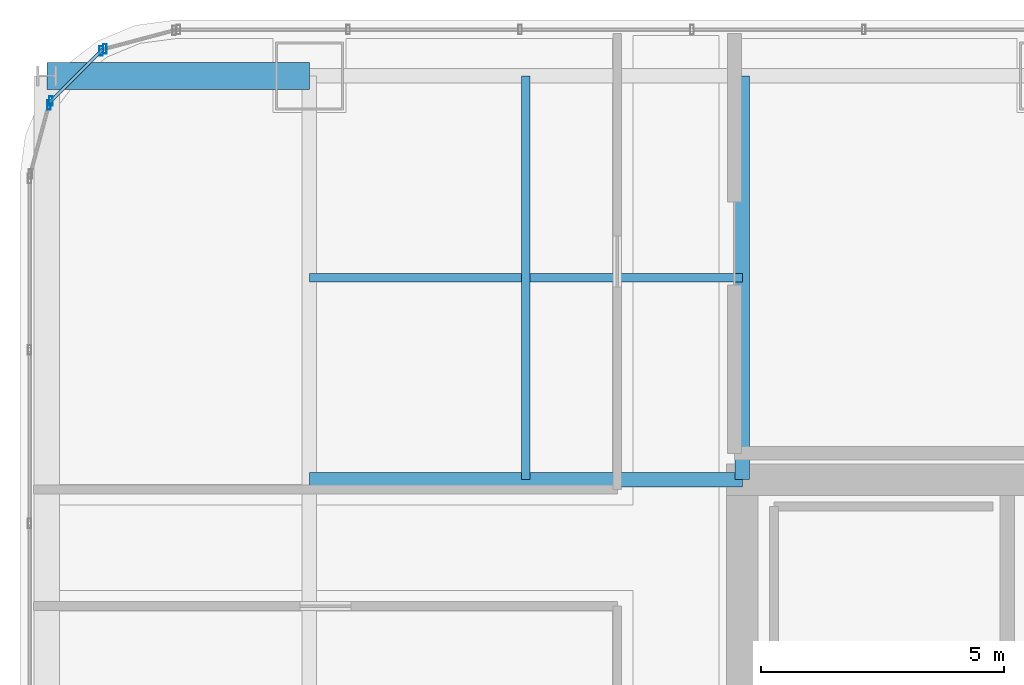
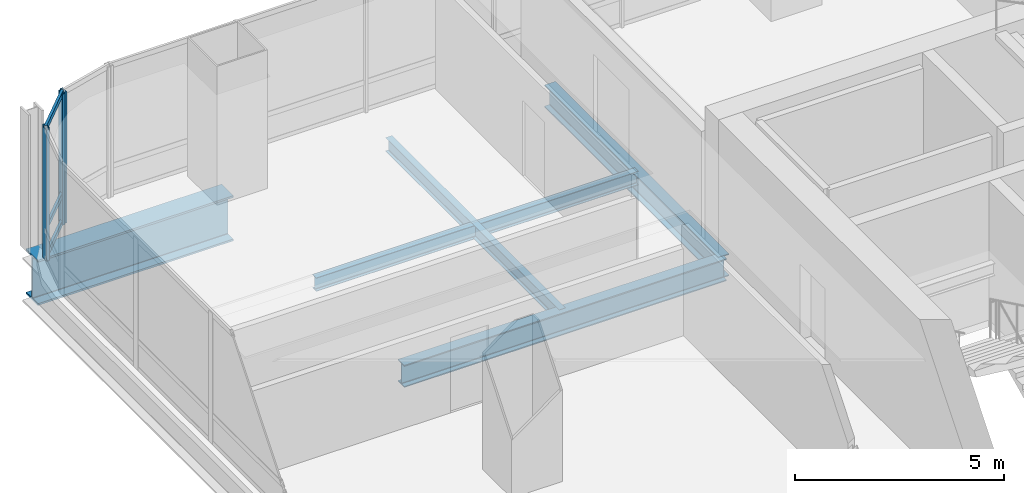
# One storey, part 19 of 36: 7 members, 5 beams, 3 elements without a shape of their own.
"""IFC4 building model written with IfcOpenShell, lengths in metres."""

from ifc_helpers import new_model, si_unit, direction, frame, origin, origin_2d, place, context, subcontext, project, spatial, hollow_rectangle, i_section, extrude, material, material_profile, profile_set, type_object, element, aggregate, save


model = new_model("IFC4")

# Units and contexts
model_context = context("Model", 3, precision=1e-05, world=origin(), true_north=direction((0.0, 1.0)))
body_context = subcontext(model_context, "Body", "Model", "MODEL_VIEW")
ifc_project = project(units=[si_unit("LENGTHUNIT", "METRE"), si_unit("AREAUNIT", "SQUARE_METRE"), si_unit("VOLUMEUNIT", "CUBIC_METRE"), si_unit("PLANEANGLEUNIT", "RADIAN"), si_unit("MASSUNIT", "GRAM", prefix="KILO")], contexts=[model_context])

# Site, building, storey
site_placement = place(None, origin())
site = spatial("IfcSite", under=ifc_project, at=site_placement, CompositionType="ELEMENT")
building_placement = place(site_placement, origin())
building = spatial("IfcBuilding", under=site, at=building_placement, Name="Punatoya Terracotta Tower", CompositionType="ELEMENT")
storey_placement = place(building_placement, frame((0.0, 0.0, 184.35009765625)))
storey = spatial("IfcBuildingStorey", under=building, at=storey_placement, Name="L43", CompositionType="ELEMENT", Elevation=184.35009765625)

# Beams
ifc_material_1 = material(Name="Steel S355", Category="steel")
ifc_material_profile_1 = material_profile(ifc_material_1, i_section(OverallWidth=0.300048828125, OverallDepth=0.64990234375, WebThickness=0.01611328125, FlangeThickness=0.031005859375, FilletRadius=0.01806640625, at=origin_2d()))
ifc_profile_set_1 = profile_set([ifc_material_profile_1], Name="Steel S355")
beam_type_1 = type_object("IfcBeamType", Name="BM-PRI-650", PredefinedType="BEAM", material=ifc_profile_set_1)
beam_1_placement = place(storey_placement, frame((-19.10009765625, 9.199951171875, -0.545166015625), z_axis=(1.0, 0.0, 0.0), x_axis=(0.0, 1.0, 0.0)))
element("IfcBeam", 1, at=beam_1_placement, inside=storey, type_object=beam_type_1, Name="BM-L43-PR-WN", PredefinedType="BEAM", context=body_context, shape_type="SweptSolid", body=[
    extrude(i_section(OverallWidth=0.300048828125, OverallDepth=0.64990234375, WebThickness=0.01611328125, FlangeThickness=0.031005859375, FilletRadius=0.01806640625, at=origin_2d()), origin(), (0.0, 0.0, 1.0), 8.900146484375),
])
beam_2_placement = place(storey_placement, frame((-10.199951171875, 9.199951171875, -0.545166015625), z_axis=(0.0, 1.0, 0.0), x_axis=(-1.0, 0.0, 0.0)))
element("IfcBeam", 2, at=beam_2_placement, inside=storey, type_object=beam_type_1, Name="BM-L43-PR-N1", PredefinedType="BEAM", context=body_context, shape_type="SweptSolid", body=[
    extrude(i_section(OverallWidth=0.300048828125, OverallDepth=0.64990234375, WebThickness=0.01611328125, FlangeThickness=0.031005859375, FilletRadius=0.01806640625, at=origin_2d()), origin(), (0.0, 0.0, 1.0), 8.300048828125),
])
ifc_material_profile_2 = material_profile(ifc_material_1, i_section(OverallWidth=0.179931640625, OverallDepth=0.39990234375, WebThickness=0.008544921875, FlangeThickness=0.013427734375, FilletRadius=0.01806640625, at=origin_2d()))
ifc_profile_set_2 = profile_set([ifc_material_profile_2], Name="Steel S355")
beam_type_2 = type_object("IfcBeamType", Name="BM-SEC-400", PredefinedType="JOIST", material=ifc_profile_set_2)
beam_3_placement = place(storey_placement, frame((-19.10009765625, 13.35009765625, -0.420166015625), z_axis=(1.0, 0.0, 0.0), x_axis=(0.0, 1.0, 0.0)))
element("IfcBeam", 3, at=beam_3_placement, inside=storey, type_object=beam_type_2, Name="BM-L43-SJN-1", PredefinedType="JOIST", context=body_context, shape_type="SweptSolid", body=[
    extrude(i_section(OverallWidth=0.179931640625, OverallDepth=0.39990234375, WebThickness=0.008544921875, FlangeThickness=0.013427734375, FilletRadius=0.01806640625, at=origin_2d()), origin(), (0.0, 0.0, 1.0), 8.900146484375),
])
beam_4_placement = place(storey_placement, frame((-14.64990234375, 9.199951171875, -0.420166015625), z_axis=(0.0, 1.0, 0.0), x_axis=(-1.0, 0.0, 0.0)))
element("IfcBeam", 4, at=beam_4_placement, inside=storey, type_object=beam_type_2, Name="BM-L43-SJW-2", PredefinedType="JOIST", context=body_context, shape_type="SweptSolid", body=[
    extrude(i_section(OverallWidth=0.179931640625, OverallDepth=0.39990234375, WebThickness=0.008544921875, FlangeThickness=0.013427734375, FilletRadius=0.01806640625, at=origin_2d()), origin(), (0.0, 0.0, 1.0), 8.300048828125),
])
ifc_material_2 = material(Name="Steel S460", Category="steel")
ifc_material_profile_3 = material_profile(ifc_material_2, i_section(OverallWidth=0.56005859375, OverallDepth=1.320068359375, WebThickness=0.035888671875, FlangeThickness=0.054931640625, FilletRadius=0.01806640625, at=origin_2d()))
ifc_profile_set_3 = profile_set([ifc_material_profile_3], Name="Steel S460")
beam_type_3 = type_object("IfcBeamType", Name="BM-TG-BLK", PredefinedType="BEAM", material=ifc_profile_set_3)
beam_5_placement = place(storey_placement, frame((-24.5, 17.5, -0.880126953125), z_axis=(1.0, 0.0, 0.0), x_axis=(0.0, 1.0, 0.0)))
element("IfcBeam", 5, at=beam_5_placement, inside=storey, type_object=beam_type_3, Name="BM-L43-CANT-W4", PredefinedType="BEAM", context=body_context, shape_type="SweptSolid", body=[
    extrude(i_section(OverallWidth=0.56005859375, OverallDepth=1.320068359375, WebThickness=0.035888671875, FlangeThickness=0.054931640625, FilletRadius=0.01806640625, at=origin_2d()), origin(), (0.0, 0.0, 1.0), 5.39990234375),
])

# Curtain wall, member
ifc_material_3 = material(Name="Aluminium 6063-T6 + Double Low-E Glass", Category="aluminium")
curtain_wall_type = type_object("IfcCurtainWallType", Name="CW-M2", PredefinedType="NOTDEFINED", material=ifc_material_3)
curtain_wall_1_placement = place(storey_placement, origin())
curtain_wall_1 = element("IfcCurtainWall", 6, at=curtain_wall_1_placement, inside=storey, type_object=curtain_wall_type, Name="L43 Curtain Wall CW-L43-CRN10", PredefinedType="NOTDEFINED")
ifc_material_4 = material(Name="Aluminium 6063-T6", Category="aluminium")
ifc_material_profile_4 = material_profile(ifc_material_4, hollow_rectangle(XDim=0.072021484375, YDim=0.195068359375, WallThickness=0.00439453125, at=origin_2d()))
ifc_profile_set_4 = profile_set([ifc_material_profile_4], Name="Aluminium 6063-T6")
member_type_1 = type_object("IfcMemberType", Name="CW-MUL-M2", PredefinedType="MULLION", material=ifc_profile_set_4)
member_1_placement = place(storey_placement, frame((-23.3056640625, 18.05810546875, 0.0), z_axis=(0.0, 0.0, 1.0), x_axis=(1.0, 0.0, 0.0)))
member_1 = element("IfcMember", 7, at=member_1_placement, type_object=member_type_1, Name="CW-L43-CRN10 Mullion 01", PredefinedType="MULLION", context=body_context, shape_type="SweptSolid", body=[
    extrude(hollow_rectangle(XDim=0.072021484375, YDim=0.195068359375, WallThickness=0.00439453125, at=origin_2d()), origin(), (0.0, 0.0, 1.0), 3.829833984375),
])
aggregate(curtain_wall_1, [member_1])

# Curtain wall, members
curtain_wall_2_placement = place(storey_placement, origin())
curtain_wall_2 = element("IfcCurtainWall", 8, at=curtain_wall_2_placement, inside=storey, type_object=curtain_wall_type, Name="L43 Curtain Wall CW-L43-CRN11", PredefinedType="NOTDEFINED")
member_2_placement = place(storey_placement, frame((-23.380859375, 18.014892578125, 0.0), z_axis=(0.0, 0.0, 1.0), x_axis=(1.0, 0.0, 0.0)))
member_2 = element("IfcMember", 9, at=member_2_placement, type_object=member_type_1, Name="CW-L43-CRN11 Mullion 00", PredefinedType="MULLION", context=body_context, shape_type="SweptSolid", body=[
    extrude(hollow_rectangle(XDim=0.072021484375, YDim=0.195068359375, WallThickness=0.00439453125, at=origin_2d()), origin(), (0.0, 0.0, 1.0), 3.829833984375),
])
member_3_placement = place(storey_placement, frame((-24.414794921875, 16.98095703125, 0.0), z_axis=(0.0, 0.0, 1.0), x_axis=(1.0, 0.0, 0.0)))
member_3 = element("IfcMember", 10, at=member_3_placement, type_object=member_type_1, Name="CW-L43-CRN11 Mullion 01", PredefinedType="MULLION", context=body_context, shape_type="SweptSolid", body=[
    extrude(hollow_rectangle(XDim=0.072021484375, YDim=0.195068359375, WallThickness=0.00439453125, at=origin_2d()), origin(), (0.0, 0.0, 1.0), 3.829833984375),
])

# Curtain wall, member
curtain_wall_3_placement = place(storey_placement, origin())
curtain_wall_3 = element("IfcCurtainWall", 11, at=curtain_wall_3_placement, inside=storey, type_object=curtain_wall_type, Name="L43 Curtain Wall CW-L43-CRN12", PredefinedType="NOTDEFINED")
member_4_placement = place(storey_placement, frame((-24.458251953125, 16.905517578125, 0.0), z_axis=(0.0, 0.0, 1.0), x_axis=(1.0, 0.0, 0.0)))
member_4 = element("IfcMember", 12, at=member_4_placement, type_object=member_type_1, Name="CW-L43-CRN12 Mullion 00", PredefinedType="MULLION", context=body_context, shape_type="SweptSolid", body=[
    extrude(hollow_rectangle(XDim=0.072021484375, YDim=0.195068359375, WallThickness=0.00439453125, at=origin_2d()), origin(), (0.0, 0.0, 1.0), 3.829833984375),
])
aggregate(curtain_wall_3, [member_4])

# Member
ifc_material_profile_5 = material_profile(ifc_material_4, hollow_rectangle(XDim=0.068115234375, YDim=0.14990234375, WallThickness=0.00390625, at=origin_2d()))
ifc_profile_set_5 = profile_set([ifc_material_profile_5], Name="Aluminium 6063-T6")
member_type_2 = type_object("IfcMemberType", Name="CW-TRN-TYP", PredefinedType="USERDEFINED", material=ifc_profile_set_5)
member_5_placement = place(storey_placement, frame((-23.34912109375, 18.046630859375, 0.039794921875), z_axis=(-0.707106781187, -0.707106781187, 0.0), x_axis=(0.707106781187, -0.707106781187, 0.0)))
member_5 = element("IfcMember", 13, at=member_5_placement, type_object=member_type_2, Name="CW-L43-CRN11 Transom 1", ObjectType="TRANSOM", PredefinedType="USERDEFINED", context=body_context, shape_type="SweptSolid", body=[
    extrude(hollow_rectangle(XDim=0.068115234375, YDim=0.14990234375, WallThickness=0.00390625, at=origin_2d()), origin(), (0.0, 0.0, 1.0), 1.552001953125),
])

member_6_placement = place(storey_placement, frame((-23.34912109375, 18.046630859375, 0.849853515625), z_axis=(-0.707106781187, -0.707106781187, 0.0), x_axis=(0.707106781187, -0.707106781187, 0.0)))
member_6 = element("IfcMember", 14, at=member_6_placement, type_object=member_type_2, Name="CW-L43-CRN11 Transom 2", ObjectType="TRANSOM", PredefinedType="USERDEFINED", context=body_context, shape_type="SweptSolid", body=[
    extrude(hollow_rectangle(XDim=0.068115234375, YDim=0.14990234375, WallThickness=0.00390625, at=origin_2d()), origin(), (0.0, 0.0, 1.0), 1.552001953125),
])

member_7_placement = place(storey_placement, frame((-23.34912109375, 18.046630859375, 3.789794921875), z_axis=(-0.707106781187, -0.707106781187, 0.0), x_axis=(0.707106781187, -0.707106781187, 0.0)))
member_7 = element("IfcMember", 15, at=member_7_placement, type_object=member_type_2, Name="CW-L43-CRN11 Transom 3", ObjectType="TRANSOM", PredefinedType="USERDEFINED", context=body_context, shape_type="SweptSolid", body=[
    extrude(hollow_rectangle(XDim=0.068115234375, YDim=0.14990234375, WallThickness=0.00390625, at=origin_2d()), origin(), (0.0, 0.0, 1.0), 1.552001953125),
])

aggregate(curtain_wall_2, [member_2, member_3, member_5, member_6, member_7])

save(model, "model.ifc")
